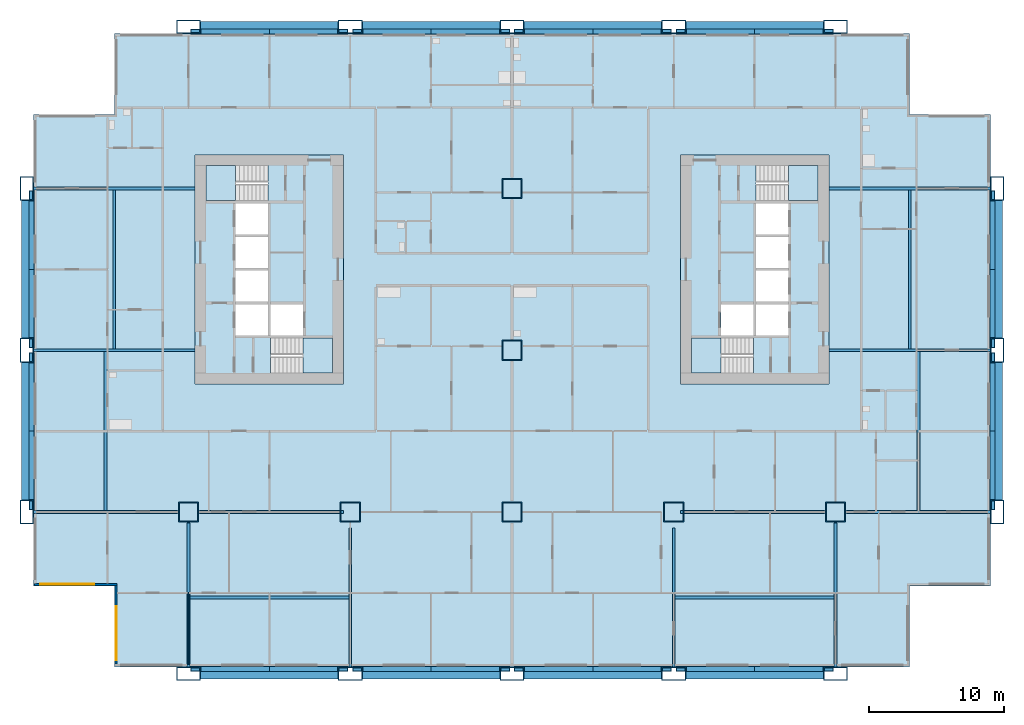
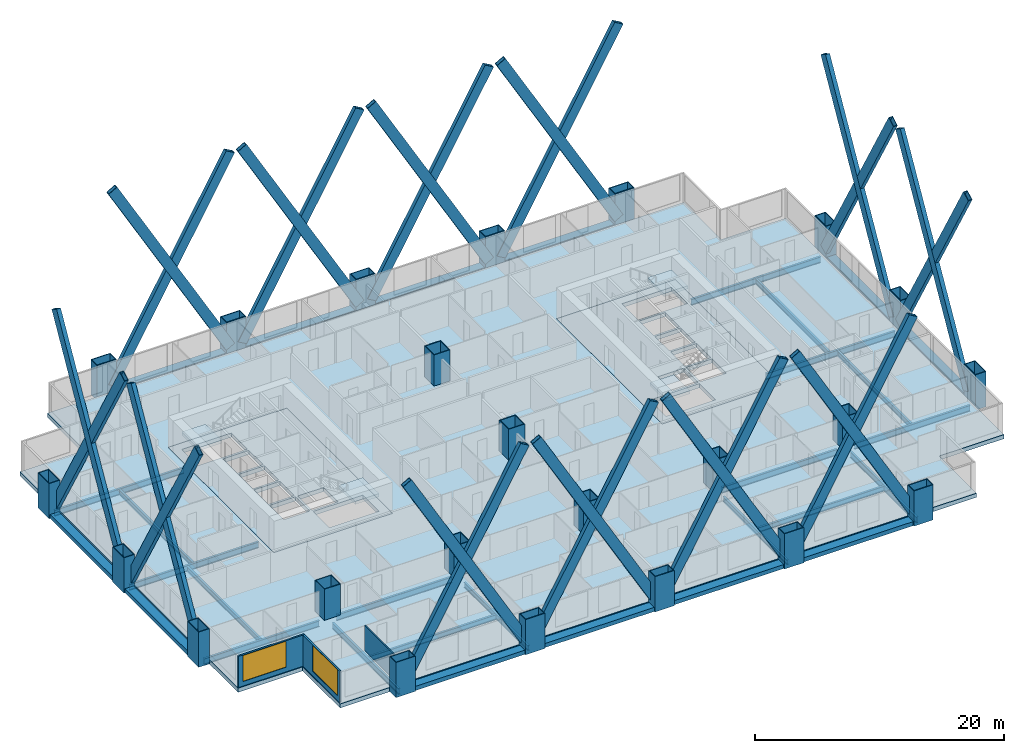
# One storey, part 1 of 13: 30 beams, 24 members, 23 columns, 7 slabs, 3 walls, 2 windows, 2 openings, 4 elements without a shape of their own.
"""IFC4 building model written with IfcOpenShell, lengths in metres."""

from ifc_helpers import new_model, si_unit, direction, frame, frame_2d, origin, origin_2d, place, context, subcontext, project, spatial, polyline, rectangle, hollow_rectangle, i_section, outline, extrude, material, layer, layer_set, material_profile, profile_set, type_object, element, fill, aggregate, save


model = new_model("IFC4")

# Units and contexts
model_context = context("Model", 3, precision=1e-05, world=origin(), true_north=direction((0.0, 1.0)))
body_context = subcontext(model_context, "Body", "Model", "MODEL_VIEW")
ifc_project = project(units=[si_unit("LENGTHUNIT", "METRE"), si_unit("AREAUNIT", "SQUARE_METRE"), si_unit("VOLUMEUNIT", "CUBIC_METRE"), si_unit("PLANEANGLEUNIT", "RADIAN"), si_unit("MASSUNIT", "GRAM", prefix="KILO")], contexts=[model_context])

# Site, building, storey
site_placement = place(None, origin())
site = spatial("IfcSite", under=ifc_project, at=site_placement, CompositionType="ELEMENT")
building_placement = place(site_placement, origin())
building = spatial("IfcBuilding", under=site, at=building_placement, Name="Kitamizu Gate Tower and Museum", CompositionType="ELEMENT")
storey_placement = place(building_placement, frame((0.0, 0.0, 30.0)))
storey = spatial("IfcBuildingStorey", under=building, at=storey_placement, Name="L05", CompositionType="ELEMENT", Elevation=30.0)

# Columns
ifc_material_1 = material(Name="Steel SM490A bronze coated", Category="steel")
ifc_material_profile_1 = material_profile(ifc_material_1, hollow_rectangle(XDim=1.800048828125, YDim=1.0, WallThickness=0.070068359375, at=origin_2d()), Name="BOX 1800x1000x70")
ifc_profile_set_1 = profile_set([ifc_material_profile_1], Name="Steel SM490A bronze coated")
column_type_1 = type_object("IfcColumnType", Name="Exoskeleton column XC2 BOX 1800x1000x70", PredefinedType="COLUMN", material=ifc_profile_set_1)
for number, where, z_axis, x_axis, name in (
    (1, (0.0, 12.0, -0.39990234375), (0.0, 0.0, 1.0), (0.0, 1.0, 0.0), "Column XC2 1B L05"),
    (2, (0.0, 24.0, -0.39990234375), (0.0, 0.0, 1.0), (0.0, 1.0, 0.0), "Column XC2 1C L05"),
    (3, (0.0, 36.0, -0.39990234375), (0.0, 0.0, 1.0), (0.0, 1.0, 0.0), "Column XC2 1D L05"),
    (4, (12.0, 0.0, -0.39990234375), (0.0, 0.0, 1.0), (1.0, 0.0, 0.0), "Column XC2 2A L05"),
    (5, (12.0, 48.0, -0.39990234375), (0.0, 0.0, 1.0), (1.0, 0.0, 0.0), "Column XC2 2E L05"),
    (6, (24.0, 0.0, -0.39990234375), (0.0, 0.0, 1.0), (1.0, 0.0, 0.0), "Column XC2 3A L05"),
    (7, (24.0, 48.0, -0.39990234375), (0.0, 0.0, 1.0), (1.0, 0.0, 0.0), "Column XC2 3E L05"),
    (8, (36.0, 0.0, -0.39990234375), (0.0, 0.0, 1.0), (1.0, 0.0, 0.0), "Column XC2 4A L05"),
    (9, (36.0, 48.0, -0.39990234375), (0.0, 0.0, 1.0), (1.0, 0.0, 0.0), "Column XC2 4E L05"),
    (10, (48.0, 0.0, -0.39990234375), (0.0, 0.0, 1.0), (1.0, 0.0, 0.0), "Column XC2 5A L05"),
    (11, (48.0, 48.0, -0.39990234375), (0.0, 0.0, 1.0), (1.0, 0.0, 0.0), "Column XC2 5E L05"),
    (12, (60.0, 0.0, -0.39990234375), (0.0, 0.0, 1.0), (1.0, 0.0, 0.0), "Column XC2 6A L05"),
    (13, (60.0, 48.0, -0.39990234375), (0.0, 0.0, 1.0), (1.0, 0.0, 0.0), "Column XC2 6E L05"),
    (14, (72.0, 12.0, -0.39990234375), (0.0, 0.0, 1.0), (0.0, 1.0, 0.0), "Column XC2 7B L05"),
    (15, (72.0, 24.0, -0.39990234375), (0.0, 0.0, 1.0), (0.0, 1.0, 0.0), "Column XC2 7C L05"),
    (16, (72.0, 36.0, -0.39990234375), (0.0, 0.0, 1.0), (0.0, 1.0, 0.0), "Column XC2 7D L05"),
):
    element("IfcColumn", number, at=place(storey_placement, frame(where, z_axis=z_axis, x_axis=x_axis)), inside=storey, type_object=column_type_1, Name=name, PredefinedType="COLUMN", context=body_context, shape_type="SweptSolid", body=[
        extrude(hollow_rectangle(XDim=1.800048828125, YDim=1.0, WallThickness=0.070068359375, at=origin_2d()), origin(), (0.0, 0.0, 1.0), 3.449951171875),
    ])
ifc_material_2 = material(Name="Steel SM490A", Category="steel")
ifc_material_profile_2 = material_profile(ifc_material_2, hollow_rectangle(XDim=1.5, YDim=1.5, WallThickness=0.06494140625, at=origin_2d()), Name="BOX 1500x1500x65")
ifc_profile_set_2 = profile_set([ifc_material_profile_2], Name="Steel SM490A")
column_type_2 = type_object("IfcColumnType", Name="Interior column IC2 BOX 1500x1500x65", PredefinedType="COLUMN", material=ifc_profile_set_2)
for number, where, z_axis, x_axis, name in (
    (17, (12.0, 12.0, 0.0), (0.0, 0.0, 1.0), (1.0, 0.0, 0.0), "Column IC2 2B L05"),
    (18, (24.0, 12.0, 0.0), (0.0, 0.0, 1.0), (1.0, 0.0, 0.0), "Column IC2 3B L05"),
    (19, (36.0, 12.0, 0.0), (0.0, 0.0, 1.0), (1.0, 0.0, 0.0), "Column IC2 4B L05"),
    (20, (36.0, 24.0, 0.0), (0.0, 0.0, 1.0), (1.0, 0.0, 0.0), "Column IC2 4C L05"),
    (21, (36.0, 36.0, 0.0), (0.0, 0.0, 1.0), (1.0, 0.0, 0.0), "Column IC2 4D L05"),
    (22, (48.0, 12.0, 0.0), (0.0, 0.0, 1.0), (1.0, 0.0, 0.0), "Column IC2 5B L05"),
    (23, (60.0, 12.0, 0.0), (0.0, 0.0, 1.0), (1.0, 0.0, 0.0), "Column IC2 6B L05"),
):
    element("IfcColumn", number, at=place(storey_placement, frame(where, z_axis=z_axis, x_axis=x_axis)), inside=storey, type_object=column_type_2, Name=name, PredefinedType="COLUMN", context=body_context, shape_type="SweptSolid", body=[
        extrude(hollow_rectangle(XDim=1.5, YDim=1.5, WallThickness=0.06494140625, at=origin_2d()), origin(), (0.0, 0.0, 1.0), 3.050048828125),
    ])

# Members
ifc_material_3 = material(Name="Steel SM490A bronze coated", Category="steel")
ifc_material_profile_3 = material_profile(ifc_material_3, hollow_rectangle(XDim=0.3798828125, YDim=0.89990234375, WallThickness=0.044921875, at=origin_2d()), Name="BOX 380x900x45")
ifc_profile_set_3 = profile_set([ifc_material_profile_3], Name="Steel SM490A bronze coated")
member_type = type_object("IfcMemberType", Name="Exoskeleton brace XB1 BOX 380x900x45", PredefinedType="BRACE", material=ifc_profile_set_3)
for number, where, z_axis, x_axis, name in (
    (24, (12.550048828125, 0.360107421875, 0.60009765625), (0.495648674381, 0.0, 0.868523109413), (0.0, 1.0, 0.0), "Exoskeleton brace XB1 south 12 L05"),
    (25, (23.449951171875, 0.360107421875, 0.60009765625), (-0.495648674381, 0.0, 0.868523109413), (0.0, -1.0, 0.0), "Exoskeleton brace XB1 south 12 L05"),
    (26, (24.550048828125, 0.360107421875, 0.60009765625), (0.495648674381, 0.0, 0.868523109413), (0.0, 1.0, 0.0), "Exoskeleton brace XB1 south 24 L05"),
    (27, (35.449951171875, 0.360107421875, 0.60009765625), (-0.495648674381, 0.0, 0.868523109413), (0.0, -1.0, 0.0), "Exoskeleton brace XB1 south 24 L05"),
    (28, (36.550048828125, 0.360107421875, 0.60009765625), (0.495648674381, 0.0, 0.868523109413), (0.0, 1.0, 0.0), "Exoskeleton brace XB1 south 36 L05"),
    (29, (47.449951171875, 0.360107421875, 0.60009765625), (-0.495648674381, 0.0, 0.868523109413), (0.0, -1.0, 0.0), "Exoskeleton brace XB1 south 36 L05"),
    (30, (48.550048828125, 0.360107421875, 0.60009765625), (0.495648674381, 0.0, 0.868523109413), (0.0, 1.0, 0.0), "Exoskeleton brace XB1 south 48 L05"),
    (31, (59.449951171875, 0.360107421875, 0.60009765625), (-0.495648674381, 0.0, 0.868523109413), (0.0, -1.0, 0.0), "Exoskeleton brace XB1 south 48 L05"),
    (32, (12.550048828125, 47.639892578125, 0.60009765625), (0.495648674381, 0.0, 0.868523109413), (0.0, 1.0, 0.0), "Exoskeleton brace XB1 north 12 L05"),
    (33, (23.449951171875, 47.639892578125, 0.60009765625), (-0.495648674381, 0.0, 0.868523109413), (0.0, -1.0, 0.0), "Exoskeleton brace XB1 north 12 L05"),
    (34, (24.550048828125, 47.639892578125, 0.60009765625), (0.495648674381, 0.0, 0.868523109413), (0.0, 1.0, 0.0), "Exoskeleton brace XB1 north 24 L05"),
    (35, (35.449951171875, 47.639892578125, 0.60009765625), (-0.495648674381, 0.0, 0.868523109413), (0.0, -1.0, 0.0), "Exoskeleton brace XB1 north 24 L05"),
    (36, (36.550048828125, 47.639892578125, 0.60009765625), (0.495648674381, 0.0, 0.868523109413), (0.0, 1.0, 0.0), "Exoskeleton brace XB1 north 36 L05"),
    (37, (47.449951171875, 47.639892578125, 0.60009765625), (-0.495648674381, 0.0, 0.868523109413), (0.0, -1.0, 0.0), "Exoskeleton brace XB1 north 36 L05"),
    (38, (48.550048828125, 47.639892578125, 0.60009765625), (0.495648674381, 0.0, 0.868523109413), (0.0, 1.0, 0.0), "Exoskeleton brace XB1 north 48 L05"),
    (39, (59.449951171875, 47.639892578125, 0.60009765625), (-0.495648674381, 0.0, 0.868523109413), (0.0, -1.0, 0.0), "Exoskeleton brace XB1 north 48 L05"),
    (40, (0.360107421875, 12.550048828125, 0.60009765625), (0.0, 0.495648674381, 0.868523109413), (-1.0, 0.0, 0.0), "Exoskeleton brace XB1 west 12 L05"),
    (41, (0.360107421875, 23.449951171875, 0.60009765625), (0.0, -0.495648674381, 0.868523109413), (1.0, 0.0, 0.0), "Exoskeleton brace XB1 west 12 L05"),
    (42, (0.360107421875, 24.550048828125, 0.60009765625), (0.0, 0.495648674381, 0.868523109413), (-1.0, 0.0, 0.0), "Exoskeleton brace XB1 west 24 L05"),
    (43, (0.360107421875, 35.449951171875, 0.60009765625), (0.0, -0.495648674381, 0.868523109413), (1.0, 0.0, 0.0), "Exoskeleton brace XB1 west 24 L05"),
    (44, (71.639892578125, 12.550048828125, 0.60009765625), (0.0, 0.495648674381, 0.868523109413), (-1.0, 0.0, 0.0), "Exoskeleton brace XB1 east 12 L05"),
    (45, (71.639892578125, 23.449951171875, 0.60009765625), (0.0, -0.495648674381, 0.868523109413), (1.0, 0.0, 0.0), "Exoskeleton brace XB1 east 12 L05"),
    (46, (71.639892578125, 24.550048828125, 0.60009765625), (0.0, 0.495648674381, 0.868523109413), (-1.0, 0.0, 0.0), "Exoskeleton brace XB1 east 24 L05"),
    (47, (71.639892578125, 35.449951171875, 0.60009765625), (0.0, -0.495648674381, 0.868523109413), (1.0, 0.0, 0.0), "Exoskeleton brace XB1 east 24 L05"),
):
    element("IfcMember", number, at=place(storey_placement, frame(where, z_axis=z_axis, x_axis=x_axis)), inside=storey, type_object=member_type, Name=name, PredefinedType="BRACE", context=body_context, shape_type="SweptSolid", body=[
        extrude(hollow_rectangle(XDim=0.3798828125, YDim=0.89990234375, WallThickness=0.044921875, at=origin_2d()), origin(), (0.0, 0.0, 1.0), 21.9912109375),
    ])

# Beams
ifc_material_4 = material(Name="Steel SM490A bronze coated", Category="steel")
ifc_material_profile_4 = material_profile(ifc_material_4, hollow_rectangle(XDim=0.800048828125, YDim=0.39990234375, WallThickness=0.0400390625, at=origin_2d()), Name="BOX 800x400x40")
ifc_profile_set_4 = profile_set([ifc_material_profile_4], Name="Steel SM490A bronze coated")
beam_type_1 = type_object("IfcBeamType", Name="Exoskeleton spandrel beam SB1 BOX 800x400x40", PredefinedType="SPANDREL", material=ifc_profile_set_4)
for number, where, z_axis, x_axis, name in (
    (48, (12.89990234375, 0.0, -0.199951171875), (1.0, 0.0, 0.0), (0.0, 1.0, 0.0), "Exoskeleton spandrel beam south 12 L05"),
    (49, (24.89990234375, 0.0, -0.199951171875), (1.0, 0.0, 0.0), (0.0, 1.0, 0.0), "Exoskeleton spandrel beam south 24 L05"),
    (50, (36.89990234375, 0.0, -0.199951171875), (1.0, 0.0, 0.0), (0.0, 1.0, 0.0), "Exoskeleton spandrel beam south 36 L05"),
    (51, (48.89990234375, 0.0, -0.199951171875), (1.0, 0.0, 0.0), (0.0, 1.0, 0.0), "Exoskeleton spandrel beam south 48 L05"),
    (52, (12.89990234375, 48.0, -0.199951171875), (1.0, 0.0, 0.0), (0.0, 1.0, 0.0), "Exoskeleton spandrel beam north 12 L05"),
    (53, (24.89990234375, 48.0, -0.199951171875), (1.0, 0.0, 0.0), (0.0, 1.0, 0.0), "Exoskeleton spandrel beam north 24 L05"),
    (54, (36.89990234375, 48.0, -0.199951171875), (1.0, 0.0, 0.0), (0.0, 1.0, 0.0), "Exoskeleton spandrel beam north 36 L05"),
    (55, (48.89990234375, 48.0, -0.199951171875), (1.0, 0.0, 0.0), (0.0, 1.0, 0.0), "Exoskeleton spandrel beam north 48 L05"),
    (56, (0.0, 12.89990234375, -0.199951171875), (0.0, 1.0, 0.0), (-1.0, 0.0, 0.0), "Exoskeleton spandrel beam west 12 L05"),
    (57, (0.0, 24.89990234375, -0.199951171875), (0.0, 1.0, 0.0), (-1.0, 0.0, 0.0), "Exoskeleton spandrel beam west 24 L05"),
    (58, (72.0, 12.89990234375, -0.199951171875), (0.0, 1.0, 0.0), (-1.0, 0.0, 0.0), "Exoskeleton spandrel beam east 12 L05"),
    (59, (72.0, 24.89990234375, -0.199951171875), (0.0, 1.0, 0.0), (-1.0, 0.0, 0.0), "Exoskeleton spandrel beam east 24 L05"),
):
    element("IfcBeam", number, at=place(storey_placement, frame(where, z_axis=z_axis, x_axis=x_axis)), inside=storey, type_object=beam_type_1, Name=name, PredefinedType="SPANDREL", context=body_context, shape_type="SweptSolid", body=[
        extrude(hollow_rectangle(XDim=0.800048828125, YDim=0.39990234375, WallThickness=0.0400390625, at=origin_2d()), origin(), (0.0, 0.0, 1.0), 10.2001953125),
    ])
ifc_material_5 = material(Name="Steel SM490A", Category="steel")
ifc_material_profile_5 = material_profile(ifc_material_5, i_section(OverallWidth=0.199951171875, OverallDepth=0.5, WebThickness=0.010009765625, FlangeThickness=0.01611328125, FilletRadius=0.02001953125, at=origin_2d()), Name="H-500x200x10x16")
ifc_profile_set_5 = profile_set([ifc_material_profile_5], Name="Steel SM490A")
beam_type_2 = type_object("IfcBeamType", Name="Floor beam FB1 H 500x200x10x16", PredefinedType="BEAM", material=ifc_profile_set_5)
for number, where, z_axis, x_axis, name in (
    (60, (12.10009765625, 5.64990234375, -0.64990234375), (1.0, 0.0, 0.0), (0.0, 1.0, 0.0), "Floor beam FB1 L05-1"),
    (61, (48.10009765625, 5.64990234375, -0.64990234375), (1.0, 0.0, 0.0), (0.0, 1.0, 0.0), "Floor beam FB1 L05-2"),
    (62, (5.85009765625, 12.10009765625, -0.64990234375), (0.0, 1.0, 0.0), (-1.0, 0.0, 0.0), "Floor beam FB1 L05-3"),
    (63, (66.14990234375, 12.10009765625, -0.64990234375), (0.0, 1.0, 0.0), (-1.0, 0.0, 0.0), "Floor beam FB1 L05-4"),
    (64, (6.5, 24.10009765625, -0.64990234375), (0.0, 1.0, 0.0), (-1.0, 0.0, 0.0), "Floor beam FB1 L05-5"),
    (65, (65.5, 24.10009765625, -0.64990234375), (0.0, 1.0, 0.0), (-1.0, 0.0, 0.0), "Floor beam FB1 L05-6"),
):
    element("IfcBeam", number, at=place(storey_placement, frame(where, z_axis=z_axis, x_axis=x_axis)), inside=storey, type_object=beam_type_2, Name=name, PredefinedType="BEAM", context=body_context, shape_type="SweptSolid", body=[
        extrude(i_section(OverallWidth=0.199951171875, OverallDepth=0.5, WebThickness=0.010009765625, FlangeThickness=0.01611328125, FilletRadius=0.02001953125, at=origin_2d()), origin(), (0.0, 0.0, 1.0), 11.7998046875),
    ])
ifc_material_6 = material(Name="Steel SM490A", Category="steel")
ifc_material_profile_6 = material_profile(ifc_material_6, i_section(OverallWidth=0.199951171875, OverallDepth=0.60009765625, WebThickness=0.010986328125, FlangeThickness=0.01708984375, FilletRadius=0.02197265625, at=origin_2d()), Name="H-600x200x11x17")
ifc_profile_set_6 = profile_set([ifc_material_profile_6], Name="Steel SM490A")
beam_type_3 = type_object("IfcBeamType", Name="Floor girder FG1 H 600x200x11x17", PredefinedType="BEAM", material=ifc_profile_set_6)
for number, where, z_axis, x_axis, name in (
    (66, (12.0, 0.5, -0.699951171875), (0.0, 1.0, 0.0), (-1.0, 0.0, 0.0), "Floor girder FG1 x12 L05"),
    (67, (60.0, 0.5, -0.699951171875), (0.0, 1.0, 0.0), (-1.0, 0.0, 0.0), "Floor girder FG1 x60 L05"),
    (68, (0.5, 12.0, -0.699951171875), (1.0, 0.0, 0.0), (0.0, 1.0, 0.0), "Floor girder FG1 y12 L05"),
    (69, (12.800048828125, 12.0, -0.699951171875), (1.0, 0.0, 0.0), (0.0, 1.0, 0.0), "Floor girder FG1 y12 L05"),
    (70, (48.5, 12.0, -0.699951171875), (1.0, 0.0, 0.0), (0.0, 1.0, 0.0), "Floor girder FG1 y12 L05"),
    (71, (60.800048828125, 12.0, -0.699951171875), (1.0, 0.0, 0.0), (0.0, 1.0, 0.0), "Floor girder FG1 y12 L05"),
):
    element("IfcBeam", number, at=place(storey_placement, frame(where, z_axis=z_axis, x_axis=x_axis)), inside=storey, type_object=beam_type_3, Name=name, PredefinedType="BEAM", context=body_context, shape_type="SweptSolid", body=[
        extrude(i_section(OverallWidth=0.199951171875, OverallDepth=0.60009765625, WebThickness=0.010986328125, FlangeThickness=0.01708984375, FilletRadius=0.02197265625, at=origin_2d()), origin(), (0.0, 0.0, 1.0), 10.699951171875),
    ])
for number, where, z_axis, x_axis, name in (
    (72, (0.5, 24.0, -0.699951171875), (1.0, 0.0, 0.0), (0.0, 1.0, 0.0), "Floor girder FG1 y24 L05"),
    (73, (59.5, 24.0, -0.699951171875), (1.0, 0.0, 0.0), (0.0, 1.0, 0.0), "Floor girder FG1 y24 L05"),
    (74, (0.5, 36.0, -0.699951171875), (1.0, 0.0, 0.0), (0.0, 1.0, 0.0), "Floor girder FG1 y36 L05"),
    (75, (59.5, 36.0, -0.699951171875), (1.0, 0.0, 0.0), (0.0, 1.0, 0.0), "Floor girder FG1 y36 L05"),
):
    element("IfcBeam", number, at=place(storey_placement, frame(where, z_axis=z_axis, x_axis=x_axis)), inside=storey, type_object=beam_type_3, Name=name, PredefinedType="BEAM", context=body_context, shape_type="SweptSolid", body=[
        extrude(i_section(OverallWidth=0.199951171875, OverallDepth=0.60009765625, WebThickness=0.010986328125, FlangeThickness=0.01708984375, FilletRadius=0.02197265625, at=origin_2d()), origin(), (0.0, 0.0, 1.0), 12.0),
    ])
ifc_material_7 = material(Name="Steel SM490A", Category="steel")
ifc_material_profile_7 = material_profile(ifc_material_7, i_section(OverallWidth=0.199951171875, OverallDepth=0.5, WebThickness=0.010009765625, FlangeThickness=0.01611328125, FilletRadius=0.02001953125, at=origin_2d()), Name="H-500x200x10x16")
ifc_profile_set_7 = profile_set([ifc_material_profile_7], Name="Steel SM490A")
beam_type_4 = type_object("IfcBeamType", Name="Floor girder FG2 H 500x200x10x16", PredefinedType="BEAM", material=ifc_profile_set_7)
for number, where, z_axis, x_axis, name in (
    (76, (24.0, 0.5, -0.64990234375), (0.0, 1.0, 0.0), (-1.0, 0.0, 0.0), "Floor girder FG2 x24 L05"),
    (77, (48.0, 0.5, -0.64990234375), (0.0, 1.0, 0.0), (-1.0, 0.0, 0.0), "Floor girder FG2 x48 L05"),
):
    element("IfcBeam", number, at=place(storey_placement, frame(where, z_axis=z_axis, x_axis=x_axis)), inside=storey, type_object=beam_type_4, Name=name, PredefinedType="BEAM", context=body_context, shape_type="SweptSolid", body=[
        extrude(i_section(OverallWidth=0.199951171875, OverallDepth=0.5, WebThickness=0.010009765625, FlangeThickness=0.01611328125, FilletRadius=0.02001953125, at=origin_2d()), origin(), (0.0, 0.0, 1.0), 10.300048828125),
    ])

# Slabs
ifc_material_8 = material(Name="Concrete Fc36", Category="concrete")
ifc_layer_1 = layer(ifc_material_8, 0.39990234375)
ifc_layer_set_1 = layer_set([ifc_layer_1], Name="Concrete Fc36")
slab_type_1 = type_object("IfcSlabType", Name="Core floor slab 400", PredefinedType="FLOOR", material=ifc_layer_set_1)
slab_1_placement = place(storey_placement, frame((0.0, 0.0, -0.39990234375)))
element("IfcSlab", 78, at=slab_1_placement, inside=storey, type_object=slab_type_1, Name="Core floor slab W", PredefinedType="FLOOR", context=body_context, shape_type="SweptSolid", body=[
    extrude(outline(polyline([(12.5, 21.5), (23.5, 21.5), (23.5, 38.5), (12.5, 38.5), (12.5, 21.5)]), holes=[polyline([(15.5, 25.10009765625), (17.89990234375, 25.10009765625), (17.89990234375, 27.39990234375), (15.5, 27.39990234375), (15.5, 25.10009765625)]), polyline([(15.5, 27.60009765625), (17.89990234375, 27.60009765625), (17.89990234375, 29.89990234375), (15.5, 29.89990234375), (15.5, 27.60009765625)]), polyline([(15.5, 30.10009765625), (17.89990234375, 30.10009765625), (17.89990234375, 32.39990234375), (15.5, 32.39990234375), (15.5, 30.10009765625)]), polyline([(15.5, 32.60009765625), (17.89990234375, 32.60009765625), (17.89990234375, 34.89990234375), (15.5, 34.89990234375), (15.5, 32.60009765625)]), polyline([(18.10009765625, 25.10009765625), (20.5, 25.10009765625), (20.5, 27.39990234375), (18.10009765625, 27.39990234375), (18.10009765625, 25.10009765625)]), polyline([(18.1005859375, 22.300048828125), (22.699951171875, 22.300048828125), (22.699951171875, 24.89990234375), (18.1005859375, 24.89990234375), (18.1005859375, 22.300048828125)]), polyline([(13.300048828125, 35.10009765625), (17.8994140625, 35.10009765625), (17.8994140625, 37.699951171875), (13.300048828125, 37.699951171875), (13.300048828125, 35.10009765625)])]), origin(), (0.0, 0.0, 1.0), 0.39990234375),
])
slab_2_placement = place(storey_placement, frame((0.0, 0.0, -0.39990234375)))
element("IfcSlab", 79, at=slab_2_placement, inside=storey, type_object=slab_type_1, Name="Core floor slab E", PredefinedType="FLOOR", context=body_context, shape_type="SweptSolid", body=[
    extrude(outline(polyline([(48.5, 21.5), (59.5, 21.5), (59.5, 38.5), (48.5, 38.5), (48.5, 21.5)]), holes=[polyline([(54.10009765625, 25.10009765625), (56.5, 25.10009765625), (56.5, 27.39990234375), (54.10009765625, 27.39990234375), (54.10009765625, 25.10009765625)]), polyline([(54.10009765625, 27.60009765625), (56.5, 27.60009765625), (56.5, 29.89990234375), (54.10009765625, 29.89990234375), (54.10009765625, 27.60009765625)]), polyline([(54.10009765625, 30.10009765625), (56.5, 30.10009765625), (56.5, 32.39990234375), (54.10009765625, 32.39990234375), (54.10009765625, 30.10009765625)]), polyline([(54.10009765625, 32.60009765625), (56.5, 32.60009765625), (56.5, 34.89990234375), (54.10009765625, 34.89990234375), (54.10009765625, 32.60009765625)]), polyline([(51.5, 25.10009765625), (53.89990234375, 25.10009765625), (53.89990234375, 27.39990234375), (51.5, 27.39990234375), (51.5, 25.10009765625)]), polyline([(49.300048828125, 22.300048828125), (53.8994140625, 22.300048828125), (53.8994140625, 24.89990234375), (49.300048828125, 24.89990234375), (49.300048828125, 22.300048828125)]), polyline([(54.1005859375, 35.10009765625), (58.699951171875, 35.10009765625), (58.699951171875, 37.699951171875), (54.1005859375, 37.699951171875), (54.1005859375, 35.10009765625)])]), origin(), (0.0, 0.0, 1.0), 0.39990234375),
])
ifc_material_9 = material(Name="Concrete Fc36", Category="concrete")
ifc_layer_2 = layer(ifc_material_9, 0.39990234375)
ifc_layer_set_2 = layer_set([ifc_layer_2], Name="Concrete Fc36")
slab_type_2 = type_object("IfcSlabType", Name="Post tensioned flat slab 400", PredefinedType="FLOOR", material=ifc_layer_set_2)
slab_3_placement = place(storey_placement, frame((0.0, 0.0, -0.39990234375)))
element("IfcSlab", 80, at=slab_3_placement, inside=storey, type_object=slab_type_2, Name="Floor slab L05-1", PredefinedType="FLOOR", context=body_context, shape_type="SweptSolid", body=[
    extrude(outline(polyline([(0.5, 6.5), (0.5, 41.5), (6.5, 41.5), (6.5, 47.5), (65.5, 47.5), (65.5, 41.5), (71.5, 41.5), (71.5, 6.5), (65.5, 6.5), (65.5, 0.5), (6.5, 0.5), (6.5, 6.5), (0.5, 6.5)]), holes=[polyline([(59.5, 38.5), (48.5, 38.5), (48.5, 21.5), (59.5, 21.5), (59.5, 38.5)]), polyline([(12.5, 38.5), (12.5, 21.5), (23.5, 21.5), (23.5, 38.5), (12.5, 38.5)])]), origin(), (0.0, 0.0, 1.0), 0.39990234375),
])

# Stair, slab
ifc_material_10 = material(Name="Concrete Fc42", Category="concrete")
stair_type = type_object("IfcStairType", Name="Exit stair 1200 wide 192 rise 300 going", PredefinedType="HALF_TURN_STAIR", material=ifc_material_10)
stair_1_placement = place(storey_placement, origin())
stair_1 = element("IfcStair", 81, at=stair_1_placement, inside=storey, type_object=stair_type, Name="Exit stair ST1", PredefinedType="HALF_TURN_STAIR")
ifc_material_11 = material(Name="Concrete Fc42", Category="concrete")
ifc_layer_3 = layer(ifc_material_11, 0.300048828125)
ifc_layer_set_3 = layer_set([ifc_layer_3], Name="Concrete Fc42")
slab_type_3 = type_object("IfcSlabType", Name="Stair landing 300", PredefinedType="LANDING", material=ifc_layer_set_3)
slab_4_placement = place(storey_placement, frame((0.0, 0.0, 1.425048828125)))
slab_4 = element("IfcSlab", 82, at=slab_4_placement, type_object=slab_type_3, Name="ST1 landing 1", PredefinedType="LANDING", context=body_context, shape_type="SweptSolid", body=[
    extrude(outline(polyline([(20.5, 22.300048828125), (22.699951171875, 22.300048828125), (22.699951171875, 24.89990234375), (20.5, 24.89990234375), (20.5, 22.300048828125)])), origin(), (0.0, 0.0, 1.0), 0.300048828125),
])
aggregate(stair_1, [slab_4])

stair_2_placement = place(storey_placement, origin())
stair_2 = element("IfcStair", 83, at=stair_2_placement, inside=storey, type_object=stair_type, Name="Exit stair ST2", PredefinedType="HALF_TURN_STAIR")
slab_5_placement = place(storey_placement, frame((0.0, 0.0, 1.425048828125)))
slab_5 = element("IfcSlab", 84, at=slab_5_placement, type_object=slab_type_3, Name="ST2 landing 1", PredefinedType="LANDING", context=body_context, shape_type="SweptSolid", body=[
    extrude(outline(polyline([(13.300048828125, 35.10009765625), (15.5, 35.10009765625), (15.5, 37.699951171875), (13.300048828125, 37.699951171875), (13.300048828125, 35.10009765625)])), origin(), (0.0, 0.0, 1.0), 0.300048828125),
])
aggregate(stair_2, [slab_5])

stair_3_placement = place(storey_placement, origin())
stair_3 = element("IfcStair", 85, at=stair_3_placement, inside=storey, type_object=stair_type, Name="Exit stair ST3", PredefinedType="HALF_TURN_STAIR")
slab_6_placement = place(storey_placement, frame((0.0, 0.0, 1.425048828125)))
slab_6 = element("IfcSlab", 86, at=slab_6_placement, type_object=slab_type_3, Name="ST3 landing 1", PredefinedType="LANDING", context=body_context, shape_type="SweptSolid", body=[
    extrude(outline(polyline([(49.300048828125, 22.300048828125), (51.5, 22.300048828125), (51.5, 24.89990234375), (49.300048828125, 24.89990234375), (49.300048828125, 22.300048828125)])), origin(), (0.0, 0.0, 1.0), 0.300048828125),
])
aggregate(stair_3, [slab_6])

stair_4_placement = place(storey_placement, origin())
stair_4 = element("IfcStair", 87, at=stair_4_placement, inside=storey, type_object=stair_type, Name="Exit stair ST4", PredefinedType="HALF_TURN_STAIR")
slab_7_placement = place(storey_placement, frame((0.0, 0.0, 1.425048828125)))
slab_7 = element("IfcSlab", 88, at=slab_7_placement, type_object=slab_type_3, Name="ST4 landing 1", PredefinedType="LANDING", context=body_context, shape_type="SweptSolid", body=[
    extrude(outline(polyline([(56.5, 35.10009765625), (58.699951171875, 35.10009765625), (58.699951171875, 37.699951171875), (56.5, 37.699951171875), (56.5, 35.10009765625)])), origin(), (0.0, 0.0, 1.0), 0.300048828125),
])
aggregate(stair_4, [slab_7])

# Wall
ifc_material_12 = material(Name="Gypsum board on galvanised stud")
ifc_layer_4 = layer(ifc_material_12, 0.10009765625)
ifc_layer_set_4 = layer_set([ifc_layer_4], Name="Gypsum board on galvanised stud")
wall_type_1 = type_object("IfcWallType", Name="Partition 100 NOT RATED", PredefinedType="PARTITIONING", material=ifc_layer_set_4)
wall_1_placement = place(storey_placement, frame((12.0, 0.719970703125, 0.0), z_axis=(0.0, 0.0, 1.0), x_axis=(0.0, 1.0, 0.0)))
element("IfcWall", 89, at=wall_1_placement, inside=storey, type_object=wall_type_1, Name="Partition L05-001", PredefinedType="PARTITIONING", context=body_context, shape_type="SweptSolid", body=[
    extrude(rectangle(XDim=5.280029296875, YDim=0.10009765625, at=frame_2d((2.64013671875, 0.0))), origin(), (0.0, 0.0, 1.0), 2.449951171875),
])

# Wall, opening, window
ifc_material_13 = material(Name="Bronze anodised aluminium frame with insulated spandrel and tinted glass", Category="aluminium")
ifc_layer_5 = layer(ifc_material_13, 0.14990234375)
ifc_layer_set_5 = layer_set([ifc_layer_5], Name="Bronze anodised aluminium frame with insulated spandrel and tinted glass")
wall_type_2 = type_object("IfcWallType", Name="WINDOW WALL 150 BRONZE FRAME EI 30", PredefinedType="ELEMENTEDWALL", material=ifc_layer_set_5)
wall_2_placement = place(storey_placement, frame((0.56005859375, 6.635009765625, 0.0), z_axis=(0.0, 0.0, 1.0), x_axis=(1.0, 0.0, 0.0)))
wall_2 = element("IfcWall", 90, at=wall_2_placement, inside=storey, type_object=wall_type_2, Name="Window wall south L05", PredefinedType="ELEMENTEDWALL", context=body_context, shape_type="SweptSolid", body=[
    extrude(rectangle(XDim=6.14990234375, YDim=0.14990234375, at=frame_2d((3.074951171875, 0.0))), origin(), (0.0, 0.0, 1.0), 3.050048828125),
])
opening_1_placement = place(wall_2_placement, frame((0.43994140625, 0.0, 0.449951171875)))
opening_1 = element("IfcOpeningElement", 91, at=opening_1_placement, cuts=wall_2, Name="Opening W16", PredefinedType="OPENING", context=body_context, shape_type="SweptSolid", body=[
    extrude(rectangle(XDim=4.0, YDim=2.550048828125, at=frame_2d((2.0, 1.27490234375))), frame((0.0, 0.0849609375, 0.0), z_axis=(0.0, -1.0, 0.0), x_axis=(1.0, 0.0, 0.0)), (0.0, 0.0, 1.0), 0.169921875),
])
ifc_material_14 = material(Name="Bronze anodised aluminium frame, tinted triple glazing", Category="aluminium")
window_type = type_object("IfcWindowType", Name="WINDOW 4000 x 2550 SILL 450", PartitioningType="SINGLE_PANEL", PredefinedType="WINDOW", material=ifc_material_14)
window_1_placement = place(opening_1_placement, origin())
window_1 = element("IfcWindow", 92, at=window_1_placement, inside=storey, type_object=window_type, Name="Window W16 L05", OverallHeight=2.550048828125, OverallWidth=4.0, PartitioningType="SINGLE_PANEL", PredefinedType="WINDOW", context=body_context, shape_type="SweptSolid", body=[
    extrude(rectangle(XDim=4.0, YDim=2.550048828125, at=frame_2d((2.0, 1.27490234375))), frame((0.0, 0.030029296875, 0.0), z_axis=(0.0, -1.0, 0.0), x_axis=(1.0, 0.0, 0.0)), (0.0, 0.0, 1.0), 0.06005859375),
])
fill(opening_1, window_1)

wall_3_placement = place(storey_placement, frame((6.635009765625, 0.7099609375, 0.0), z_axis=(0.0, 0.0, 1.0), x_axis=(0.0, 1.0, 0.0)))
wall_3 = element("IfcWall", 93, at=wall_3_placement, inside=storey, type_object=wall_type_2, Name="Window wall west L05", PredefinedType="ELEMENTEDWALL", context=body_context, shape_type="SweptSolid", body=[
    extrude(rectangle(XDim=5.85009765625, YDim=0.14990234375, at=frame_2d((2.925048828125, 0.0))), origin(), (0.0, 0.0, 1.0), 3.050048828125),
])
opening_2_placement = place(wall_3_placement, frame((0.2900390625, 0.0, 0.449951171875)))
opening_2 = element("IfcOpeningElement", 94, at=opening_2_placement, cuts=wall_3, Name="Opening W16", PredefinedType="OPENING", context=body_context, shape_type="SweptSolid", body=[
    extrude(rectangle(XDim=4.0, YDim=2.550048828125, at=frame_2d((2.0, 1.27490234375))), frame((0.0, 0.0849609375, 0.0), z_axis=(0.0, -1.0, 0.0), x_axis=(1.0, 0.0, 0.0)), (0.0, 0.0, 1.0), 0.169921875),
])
window_2_placement = place(opening_2_placement, origin())
window_2 = element("IfcWindow", 95, at=window_2_placement, inside=storey, type_object=window_type, Name="Window W16 L05", OverallHeight=2.550048828125, OverallWidth=4.0, PartitioningType="SINGLE_PANEL", PredefinedType="WINDOW", context=body_context, shape_type="SweptSolid", body=[
    extrude(rectangle(XDim=4.0, YDim=2.550048828125, at=frame_2d((2.0, 1.27490234375))), frame((0.0, 0.030029296875, 0.0), z_axis=(0.0, -1.0, 0.0), x_axis=(1.0, 0.0, 0.0)), (0.0, 0.0, 1.0), 0.06005859375),
])
fill(opening_2, window_2)

save(model, "model.ifc")
